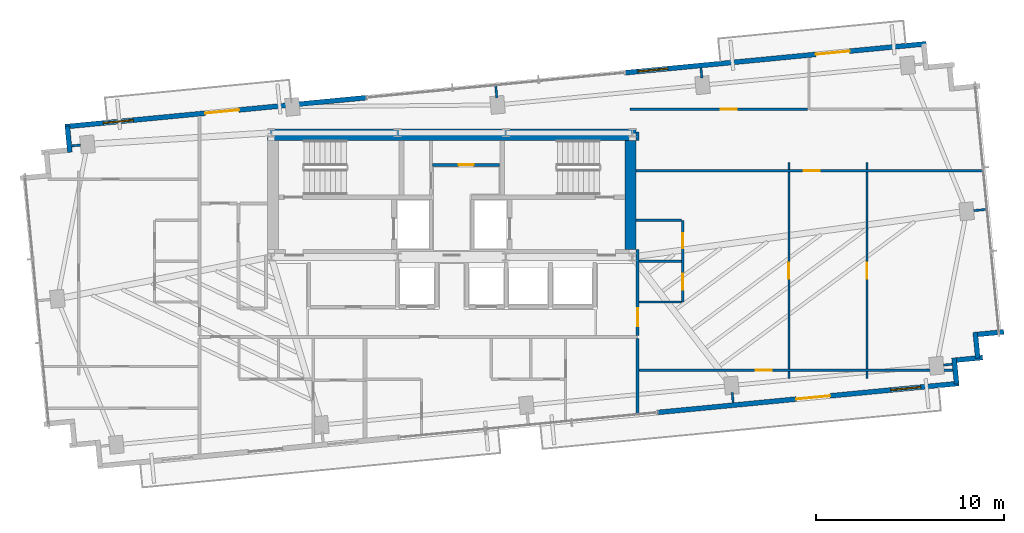
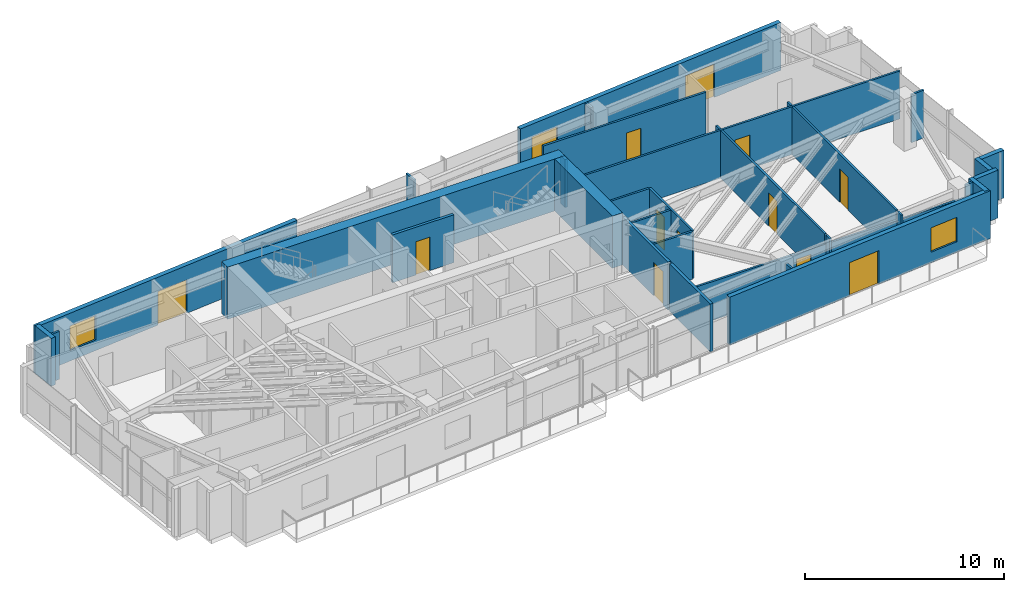
# One storey, part 15 of 18: 33 walls, 12 doors, 3 windows, 15 openings.
"""IFC4 building model written with IfcOpenShell, lengths in metres."""

import ifcopenshell
import ifcopenshell.guid

model = None  # the IFC model being written
_history = None  # IfcOwnerHistory: only IFC2X3 demands one
_inside = {}  # id of a spatial element -> (the spatial element, [elements in it])
_under = {}  # id of a project, library or spatial element -> (it, [spatial elements below it])
_declared = {}  # id of a project -> (the project, [libraries it declares])
_typed = {}  # id of a type object -> (the type object, [elements of that type])
_made_of = {}  # id of a material, layer set ... -> (it, [elements and type objects made of it])


def new_model(schema):
    """Start an empty IFC model of exactly this schema.

    Asked for "IFC4X3", IfcOpenShell would pick the latest addendum, in which some entities
    have other attributes; the version numbers below select the first issue.
    IFC2X3 requires an IfcOwnerHistory on every rooted entity: one is made here for all.
    """
    global model, _history
    if schema == "IFC4X3":
        model = ifcopenshell.file(schema_version=(4, 3, 0, 0))
    else:
        model = ifcopenshell.file(schema=schema)
    _inside.clear()
    _under.clear()
    _declared.clear()
    _typed.clear()
    _made_of.clear()
    _history = None
    if model.schema == "IFC2X3":
        org = make("IfcOrganization", Name="unknown")
        user = make(
            "IfcPersonAndOrganization",
            ThePerson=make("IfcPerson", FamilyName="unknown"),
            TheOrganization=org,
        )
        app = make(
            "IfcApplication",
            ApplicationDeveloper=org,
            Version="unknown",
            ApplicationFullName="unknown",
            ApplicationIdentifier="unknown",
        )
        _history = make(
            "IfcOwnerHistory",
            OwningUser=user,
            OwningApplication=app,
            ChangeAction="ADDED",
            CreationDate=0,
        )
    return model


def make(cls, **values):
    """One entity of the class cls with the attributes given. An attribute that is None is left unset."""
    return model.create_entity(
        cls, **{name: value for name, value in values.items() if value is not None}
    )


def rooted(cls, **values):
    """An entity with a GlobalId (a new one), such as an element, a storey or a relation."""
    return make(cls, GlobalId=ifcopenshell.guid.new(), OwnerHistory=_history, **values)


def si_unit(unit_type, name, prefix=None):
    """IfcSIUnit, for example si_unit("LENGTHUNIT", "METRE", prefix="MILLI")."""
    return make("IfcSIUnit", UnitType=unit_type, Prefix=prefix, Name=name)


def assignment(units):
    """IfcUnitAssignment: the units of a project."""
    return None if units is None else make("IfcUnitAssignment", Units=units)


def point(xyz):
    """IfcCartesianPoint."""
    return None if xyz is None else make("IfcCartesianPoint", Coordinates=xyz)


def direction(xyz):
    """IfcDirection."""
    return None if xyz is None else make("IfcDirection", DirectionRatios=xyz)


def frame(location, z_axis=None, x_axis=None):
    """IfcAxis2Placement3D, a coordinate frame: its origin and axes. An axis left out is left unset."""
    return make(
        "IfcAxis2Placement3D",
        Location=point(location),
        Axis=direction(z_axis),
        RefDirection=direction(x_axis),
    )


def frame_2d(location, x_axis=None):
    """IfcAxis2Placement2D, a coordinate frame in the plane: its origin and x axis."""
    return make(
        "IfcAxis2Placement2D", Location=point(location), RefDirection=direction(x_axis)
    )


def origin():
    """The frame at (0, 0, 0) with its axes left unset."""
    return frame((0.0, 0.0, 0.0))


def place(relative_to, where):
    """IfcLocalPlacement: puts the frame where relative to a parent placement (None: the world)."""
    return make(
        "IfcLocalPlacement", PlacementRelTo=relative_to, RelativePlacement=where
    )


def context(
    kind, dimensions, precision=None, world=None, true_north=None, identifier=None
):
    """IfcGeometricRepresentationContext, for example the 3D "Model" context."""
    return make(
        "IfcGeometricRepresentationContext",
        ContextIdentifier=identifier,
        ContextType=kind,
        CoordinateSpaceDimension=dimensions,
        Precision=precision,
        WorldCoordinateSystem=world,
        TrueNorth=true_north,
    )


def subcontext(parent, identifier, kind, view, scale=None):
    """IfcGeometricRepresentationSubContext, for example "Body" below "Model"."""
    return make(
        "IfcGeometricRepresentationSubContext",
        ContextIdentifier=identifier,
        ContextType=kind,
        ParentContext=parent,
        TargetScale=scale,
        TargetView=view,
    )


def project(units=None, contexts=None):
    """IfcProject with its units and contexts."""
    return rooted(
        "IfcProject",
        Name="project",
        RepresentationContexts=contexts,
        UnitsInContext=assignment(units),
    )


def spatial(cls, under=None, at=None, **own):
    """A site, building, storey or space (cls), placed at a placement, below another one or the project."""
    s = rooted(cls, ObjectPlacement=at, **own)
    if under is not None:
        _under.setdefault(under.id(), (under, []))[1].append(s)
    return s


def profile(cls, at=None, kind="AREA", **sizes):
    """A parametric profile (cls). Its sizes go by their IFC names, for example OverallWidth=200.0."""
    return make(cls, ProfileType=kind, Position=at, **sizes)


def rectangle(**sizes):
    """IfcRectangleProfileDef."""
    return profile("IfcRectangleProfileDef", **sizes)


def extrude(swept, where, along, depth):
    """IfcExtrudedAreaSolid: the profile swept, set in the frame where, extruded along a direction by depth."""
    return make(
        "IfcExtrudedAreaSolid",
        SweptArea=swept,
        Position=where,
        ExtrudedDirection=direction(along),
        Depth=depth,
    )


def shape(context_of_items, identifier, shape_type, items):
    """IfcShapeRepresentation: the items that make up one representation, for example the "Body"."""
    return make(
        "IfcShapeRepresentation",
        ContextOfItems=context_of_items,
        RepresentationIdentifier=identifier,
        RepresentationType=shape_type,
        Items=items,
    )


def source(mapping_origin, context_of_items, identifier, shape_type, items):
    """IfcRepresentationMap: a shape defined once, which mapped items show again and again."""
    return make(
        "IfcRepresentationMap",
        MappingOrigin=mapping_origin,
        MappedRepresentation=shape(context_of_items, identifier, shape_type, items),
    )


def transform(
    local_origin,
    x_axis=None,
    y_axis=None,
    z_axis=None,
    scale=None,
    scale2=None,
    scale3=None,
    uniform=True,
):
    """IfcCartesianTransformationOperator3D, or its non-uniform kind. x_axis, y_axis, z_axis: its Axis1, 2, 3."""
    if uniform:
        return make(
            "IfcCartesianTransformationOperator3D",
            Axis1=direction(x_axis),
            Axis2=direction(y_axis),
            LocalOrigin=point(local_origin),
            Scale=scale,
            Axis3=direction(z_axis),
        )
    return make(
        "IfcCartesianTransformationOperator3DnonUniform",
        Axis1=direction(x_axis),
        Axis2=direction(y_axis),
        LocalOrigin=point(local_origin),
        Scale=scale,
        Axis3=direction(z_axis),
        Scale2=scale2,
        Scale3=scale3,
    )


def mapped(mapping_source, mapping_target):
    """IfcMappedItem: shows the shape of a source again, moved by a transform."""
    return make(
        "IfcMappedItem", MappingSource=mapping_source, MappingTarget=mapping_target
    )


def material(Name=None, Category=None):
    """IfcMaterial."""
    return make("IfcMaterial", Name=Name, Category=Category)


def layer(
    of_material, thickness, ventilated=None, Name=None, Category=None, Priority=None
):
    """IfcMaterialLayer: one layer of a wall or slab, of a material (None: an air gap)."""
    return make(
        "IfcMaterialLayer",
        Material=of_material,
        LayerThickness=thickness,
        IsVentilated=ventilated,
        Name=Name,
        Category=Category,
        Priority=Priority,
    )


def layer_set(layers, Name=None):
    """IfcMaterialLayerSet."""
    return make("IfcMaterialLayerSet", MaterialLayers=layers, LayerSetName=Name)


def made_of(thing, what):
    """Note that an element or type object is made of a material, layer set ...; save() writes the relation."""
    if what is not None:
        _made_of.setdefault(what.id(), (what, []))[1].append(thing)
    return thing


def type_object(cls, material=None, **own):
    """A type object (cls), such as IfcWallType, which elements share."""
    return made_of(rooted(cls, **own), material)


def type_shapes(of_type, sources):
    """Give a type object the sources (RepresentationMaps) that its elements show as mapped items."""
    of_type.RepresentationMaps = sources


def element(
    cls,
    number,
    at=None,
    inside=None,
    cuts=None,
    type_object=None,
    material=None,
    context=None,
    identifier="Body",
    shape_type=None,
    held_by="IfcProductDefinitionShape",
    body=None,
    shapes=None,
    **own,
):
    """One element of the class cls, such as IfcWall. Its Tag is "e" and its number.

    at: its placement. inside: the storey or other place that contains it. cuts: it is an
    opening in that element (IfcRelVoidsElement). A single representation is given by context,
    identifier, shape_type and body (its items); several are given by shapes. held_by: the class
    of the entity that holds the representations. save() writes the other relations.
    """
    e = rooted(cls, Tag="e%d" % number, ObjectPlacement=at, **own)
    if body is not None:
        shapes = [shape(context, identifier, shape_type, body)]
    if shapes is not None:
        e.Representation = make(held_by, Representations=shapes)
    if inside is not None:
        _inside.setdefault(inside.id(), (inside, []))[1].append(e)
    if cuts is not None:
        rooted(
            "IfcRelVoidsElement", RelatingBuildingElement=cuts, RelatedOpeningElement=e
        )
    if type_object is not None:
        _typed.setdefault(type_object.id(), (type_object, []))[1].append(e)
    return made_of(e, material)


def fill(opening, filler):
    """IfcRelFillsElement: the door or window that sits in an opening."""
    return rooted(
        "IfcRelFillsElement",
        RelatingOpeningElement=opening,
        RelatedBuildingElement=filler,
    )


def aggregate(whole, parts):
    """IfcRelAggregates: a whole, such as a stair, and the parts it consists of."""
    return rooted("IfcRelAggregates", RelatingObject=whole, RelatedObjects=parts)


def save(model, path):
    """Write the relations noted so far, then the file.

    IfcRelAggregates (storeys below a building ...), IfcRelContainedInSpatialStructure (elements
    in a storey), IfcRelDefinesByType, IfcRelAssociatesMaterial and IfcRelDeclares: one each for
    every whole, place, type object, material and project.
    """
    for whole, parts in _under.values():
        aggregate(whole, parts)
    for where, things in _inside.values():
        rooted(
            "IfcRelContainedInSpatialStructure",
            RelatedElements=things,
            RelatingStructure=where,
        )
    for kind, things in _typed.values():
        rooted("IfcRelDefinesByType", RelatedObjects=things, RelatingType=kind)
    for what, things in _made_of.values():
        rooted("IfcRelAssociatesMaterial", RelatedObjects=things, RelatingMaterial=what)
    for by, libraries in _declared.values():
        rooted("IfcRelDeclares", RelatingContext=by, RelatedDefinitions=libraries)
    model.write(path)


model = new_model("IFC4")

# Units and contexts
model_context = context("Model", 3, precision=1e-05, world=origin(), true_north=direction((0.0, 1.0)))
body_context = subcontext(model_context, "Body", "Model", "MODEL_VIEW")
ifc_project = project(units=[si_unit("LENGTHUNIT", "METRE"), si_unit("AREAUNIT", "SQUARE_METRE"), si_unit("VOLUMEUNIT", "CUBIC_METRE"), si_unit("PLANEANGLEUNIT", "RADIAN"), si_unit("MASSUNIT", "GRAM", prefix="KILO")], contexts=[model_context])

# Site, building, storey
site_placement = place(None, origin())
site = spatial("IfcSite", under=ifc_project, at=site_placement, CompositionType="ELEMENT")
building_placement = place(site_placement, origin())
building = spatial("IfcBuilding", under=site, at=building_placement, Name="Astriad Promenade Condominiums", CompositionType="ELEMENT")
storey_placement = place(building_placement, frame((0.0, 0.0, 173.0)))
storey = spatial("IfcBuildingStorey", under=building, at=storey_placement, Name="L49", CompositionType="ELEMENT", Elevation=173.0)

# Walls
ifc_material_1 = material(Name="Concrete C50/60", Category="concrete")
ifc_layer_1 = layer(ifc_material_1, 0.60009765625)
ifc_layer_set_1 = layer_set([ifc_layer_1], Name="Concrete C50/60")
wall_type_1 = type_object("IfcWallType", Name="CW-SHEAR-600", PredefinedType="SHEAR", material=ifc_layer_set_1)
wall_1_placement = place(storey_placement, frame((26.199951171875, 23.89990234375, 0.0), z_axis=(0.0, 0.0, 1.0), x_axis=(1.0, 0.0, 0.0)))
element("IfcWall", 1, at=wall_1_placement, inside=storey, type_object=wall_type_1, Name="CW-CORE-N-L49", PredefinedType="SHEAR", context=body_context, shape_type="SweptSolid", body=[
    extrude(rectangle(XDim=19.60009765625, YDim=0.60009765625, at=frame_2d((9.800048828125, 0.0))), origin(), (0.0, 0.0, 1.0), 3.199951171875),
])
wall_2_placement = place(storey_placement, frame((45.5, 17.802001953125, 0.0), z_axis=(0.0, 0.0, 1.0), x_axis=(0.0, 1.0, 0.0)))
element("IfcWall", 2, at=wall_2_placement, inside=storey, type_object=wall_type_1, Name="CW-CORE-E-L49", PredefinedType="SHEAR", context=body_context, shape_type="SweptSolid", body=[
    extrude(rectangle(XDim=5.7958984375, YDim=0.60009765625, at=frame_2d((2.89794921875, 0.0))), origin(), (0.0, 0.0, 1.0), 3.199951171875),
])

# Wall, opening, door
ifc_material_2 = material(Name="Fire-Rated Gypsum Partition")
ifc_layer_2 = layer(ifc_material_2, 0.159912109375)
ifc_layer_set_2 = layer_set([ifc_layer_2], Name="Fire-Rated Gypsum Partition")
wall_type_2 = type_object("IfcWallType", Name="WALL-CORR-160", PredefinedType="PARTITIONING", material=ifc_layer_set_2)
wall_3_placement = place(storey_placement, frame((34.98193359375, 22.300048828125, 0.0), z_axis=(0.0, 0.0, 1.0), x_axis=(1.0, 0.0, 0.0)))
wall_3 = element("IfcWall", 3, at=wall_3_placement, inside=storey, type_object=wall_type_2, Name="CW-AUX-N-L49", PredefinedType="PARTITIONING", context=body_context, shape_type="SweptSolid", body=[
    extrude(rectangle(XDim=3.566162109375, YDim=0.159912109375, at=frame_2d((1.783203125, 0.0))), origin(), (0.0, 0.0, 1.0), 2.93994140625),
])
opening_1_placement = place(wall_3_placement, frame((1.3779296875, 0.0, 0.0)))
opening_1 = element("IfcOpeningElement", 4, at=opening_1_placement, cuts=wall_3, Name="Opening FD60-SV-080", PredefinedType="OPENING", context=body_context, shape_type="SweptSolid", body=[
    extrude(rectangle(XDim=0.800048828125, YDim=2.050048828125, at=frame_2d((0.39990234375, 1.02490234375))), frame((0.0, 0.08984375, 0.0), z_axis=(0.0, -1.0, 0.0), x_axis=(1.0, 0.0, 0.0)), (0.0, 0.0, 1.0), 0.179931640625),
])
ifc_material_3 = material(Name="Fire-Rated Riser Closet Door")
door_type_1 = type_object("IfcDoorType", Name="FD60-SV-080", OperationType="NOTDEFINED", PredefinedType="DOOR", material=ifc_material_3)
shared_shape_1 = source(origin(), body_context, "Body", "SweptSolid", [
    extrude(rectangle(XDim=0.800048828125, YDim=2.050048828125, at=frame_2d((0.39990234375, 1.02490234375))), frame((0.0, 0.02490234375, 0.0), z_axis=(0.0, -1.0, 0.0), x_axis=(1.0, 0.0, 0.0)), (0.0, 0.0, 1.0), 0.050048828125),
])
type_shapes(door_type_1, [shared_shape_1])
door_1_placement = place(opening_1_placement, origin())
door_1 = element("IfcDoor", 5, at=door_1_placement, inside=storey, type_object=door_type_1, Name="D-AUX2-L49", OperationType="SINGLE_SWING_LEFT", OverallHeight=2.050048828125, OverallWidth=0.800048828125, PredefinedType="DOOR", context=body_context, shape_type="MappedRepresentation", body=[
    mapped(shared_shape_1, transform((0.0, 0.0, 0.0), scale=1.0)),
])
fill(opening_1, door_1)

# Wall
wall_4_placement = place(storey_placement, frame((45.8798828125, 8.98095703125, 0.0), z_axis=(0.0, 0.0, 1.0), x_axis=(0.0, 1.0, 0.0)))
element("IfcWall", 6, at=wall_4_placement, inside=storey, type_object=wall_type_2, Name="PT-COR-E-L49", PredefinedType="PARTITIONING", context=body_context, shape_type="SweptSolid", body=[
    extrude(rectangle(XDim=4.087158203125, YDim=0.159912109375, at=frame_2d((2.04345703125, 0.0))), origin(), (0.0, 0.0, 1.0), 2.93994140625),
])

# Wall, opening, door
wall_5_placement = place(storey_placement, frame((45.8798828125, 13.23193359375, 0.0), z_axis=(0.0, 0.0, 1.0), x_axis=(0.0, 1.0, 0.0)))
wall_5 = element("IfcWall", 7, at=wall_5_placement, inside=storey, type_object=wall_type_2, Name="PT-COR-E-L49-S2", PredefinedType="PARTITIONING", context=body_context, shape_type="SweptSolid", body=[
    extrude(rectangle(XDim=4.570068359375, YDim=0.159912109375, at=frame_2d((2.28515625, 0.0))), origin(), (0.0, 0.0, 1.0), 2.93994140625),
])
opening_2_placement = place(wall_5_placement, frame((0.492919921875, 0.0, 0.0)))
opening_2 = element("IfcOpeningElement", 8, at=opening_2_placement, cuts=wall_5, Name="Opening FD60-APT-095", PredefinedType="OPENING", context=body_context, shape_type="SweptSolid", body=[
    extrude(rectangle(XDim=0.949951171875, YDim=2.06005859375, at=frame_2d((0.47509765625, 1.030029296875))), frame((0.0, 0.08984375, 0.0), z_axis=(0.0, -1.0, 0.0), x_axis=(1.0, 0.0, 0.0)), (0.0, 0.0, 1.0), 0.179931640625),
])
ifc_material_4 = material(Name="Solid-Core Acoustic Timber Residence Entry Door", Category="wood")
door_type_2 = type_object("IfcDoorType", Name="FD60-APT-095", OperationType="NOTDEFINED", PredefinedType="DOOR", material=ifc_material_4)
shared_shape_2 = source(origin(), body_context, "Body", "SweptSolid", [
    extrude(rectangle(XDim=0.949951171875, YDim=2.06005859375, at=frame_2d((0.47509765625, 1.030029296875))), frame((0.0, 0.02490234375, 0.0), z_axis=(0.0, -1.0, 0.0), x_axis=(1.0, 0.0, 0.0)), (0.0, 0.0, 1.0), 0.050048828125),
])
type_shapes(door_type_2, [shared_shape_2])
door_2_placement = place(opening_2_placement, origin())
door_2 = element("IfcDoor", 9, at=door_2_placement, inside=storey, type_object=door_type_2, Name="D-ENT-L49-E1", OperationType="SINGLE_SWING_RIGHT", OverallHeight=2.06005859375, OverallWidth=0.949951171875, PredefinedType="DOOR", context=body_context, shape_type="MappedRepresentation", body=[
    mapped(shared_shape_2, transform((0.0, 0.0, 0.0), scale=1.0)),
])
fill(opening_2, door_2)

# Walls
wall_6_placement = place(storey_placement, frame((45.8798828125, 23.597900390625, 0.0), z_axis=(0.0, 0.0, 1.0), x_axis=(0.0, 1.0, 0.0)))
element("IfcWall", 10, at=wall_6_placement, inside=storey, type_object=wall_type_2, Name="PT-COR-E-L49-S3", PredefinedType="PARTITIONING", context=body_context, shape_type="SweptSolid", body=[
    extrude(rectangle(XDim=0.4521484375, YDim=0.159912109375, at=frame_2d((0.22607421875, 0.0))), origin(), (0.0, 0.0, 1.0), 2.93994140625),
])
ifc_material_5 = material(Name="Precast concrete C50/60", Category="concrete")
ifc_layer_3 = layer(ifc_material_5, 0.260009765625)
ifc_layer_set_3 = layer_set([ifc_layer_3], Name="Precast concrete C50/60")
wall_type_3 = type_object("IfcWallType", Name="WALL-EXT-TWR-260", PredefinedType="STANDARD", material=ifc_layer_set_3)
wall_7_placement = place(storey_placement, frame((15.6982421875, 22.962646484375, 0.0), z_axis=(0.0, 0.0, 1.0), x_axis=(-0.09589913835, 0.995391056452, 0.0)))
element("IfcWall", 11, at=wall_7_placement, inside=storey, type_object=wall_type_3, Name="W-SER-L49-07", PredefinedType="STANDARD", context=body_context, shape_type="SweptSolid", body=[
    extrude(rectangle(XDim=1.39501953125, YDim=0.260009765625, at=frame_2d((0.697509765625, 0.0))), origin(), (0.0, 0.0, 1.0), 2.93994140625),
])

# Wall, openings, door, window
wall_8_placement = place(storey_placement, frame((15.4365234375, 24.32373046875, 0.0), z_axis=(0.0, 0.0, 1.0), x_axis=(0.995395627913, 0.095851676732, 0.0)))
wall_8 = element("IfcWall", 12, at=wall_8_placement, inside=storey, type_object=wall_type_3, Name="W-EXT-L49-N1", PredefinedType="STANDARD", context=body_context, shape_type="SweptSolid", body=[
    extrude(rectangle(XDim=16.10009765625, YDim=0.260009765625, at=frame_2d((8.050048828125, 0.0))), origin(), (0.0, 0.0, 1.0), 2.93994140625),
])
opening_3_placement = place(wall_8_placement, frame((7.491943359375, 0.0, 0.0)))
opening_3 = element("IfcOpeningElement", 13, at=opening_3_placement, cuts=wall_8, Name="Opening BD-1822-SLD", PredefinedType="OPENING", context=body_context, shape_type="SweptSolid", body=[
    extrude(rectangle(XDim=1.800048828125, YDim=2.06005859375, at=frame_2d((0.89990234375, 1.030029296875))), frame((0.0, 0.139892578125, 0.0), z_axis=(0.0, -1.0, 0.0), x_axis=(1.0, 0.0, 0.0)), (0.0, 0.0, 1.0), 0.280029296875),
])
opening_4_placement = place(wall_8_placement, frame((2.050048828125, 0.0, 0.64990234375)))
opening_4 = element("IfcOpeningElement", 14, at=opening_4_placement, cuts=wall_8, Name="Opening WIN-TWR-1620", PredefinedType="OPENING", context=body_context, shape_type="SweptSolid", body=[
    extrude(rectangle(XDim=1.60009765625, YDim=1.5, at=frame_2d((0.800048828125, 0.75))), frame((0.0, 0.139892578125, 0.0), z_axis=(0.0, -1.0, 0.0), x_axis=(1.0, 0.0, 0.0)), (0.0, 0.0, 1.0), 0.280029296875),
])
ifc_material_6 = material(Name="Thermally Broken Aluminium Sliding Balcony Door", Category="aluminium")
door_type_3 = type_object("IfcDoorType", Name="BD-1822-SLD", OperationType="NOTDEFINED", PredefinedType="DOOR", material=ifc_material_6)
shared_shape_3 = source(origin(), body_context, "Body", "SweptSolid", [
    extrude(rectangle(XDim=1.800048828125, YDim=2.06005859375, at=frame_2d((0.89990234375, 1.030029296875))), frame((0.0, 0.02490234375, 0.0), z_axis=(0.0, -1.0, 0.0), x_axis=(1.0, 0.0, 0.0)), (0.0, 0.0, 1.0), 0.050048828125),
])
type_shapes(door_type_3, [shared_shape_3])
door_3_placement = place(opening_3_placement, origin())
door_3 = element("IfcDoor", 15, at=door_3_placement, inside=storey, type_object=door_type_3, Name="BD-L49-NW", OperationType="SLIDING_TO_LEFT", OverallHeight=2.06005859375, OverallWidth=1.800048828125, PredefinedType="DOOR", context=body_context, shape_type="MappedRepresentation", body=[
    mapped(shared_shape_3, transform((0.0, 0.0, 0.0), scale=1.0)),
])
fill(opening_3, door_3)
ifc_material_7 = material(Name="Dark Tinted Triple-Glazed Aluminium Window", Category="aluminium")
window_type = type_object("IfcWindowType", Name="WIN-TWR-1620", PartitioningType="SINGLE_PANEL", PredefinedType="WINDOW", material=ifc_material_7)
shared_shape_4 = source(origin(), body_context, "Body", "SweptSolid", [
    extrude(rectangle(XDim=1.60009765625, YDim=1.5, at=frame_2d((0.800048828125, 0.75))), frame((0.0, 0.030029296875, 0.0), z_axis=(0.0, -1.0, 0.0), x_axis=(1.0, 0.0, 0.0)), (0.0, 0.0, 1.0), 0.06005859375),
])
type_shapes(window_type, [shared_shape_4])
window_1_placement = place(opening_4_placement, origin())
window_1 = element("IfcWindow", 16, at=window_1_placement, inside=storey, type_object=window_type, Name="WIN-L49-NW", OverallHeight=1.5, OverallWidth=1.60009765625, PartitioningType="SINGLE_PANEL", PredefinedType="WINDOW", context=body_context, shape_type="MappedRepresentation", body=[
    mapped(shared_shape_4, transform((0.0, 0.0, 0.0), scale=1.0)),
])
fill(opening_4, window_1)

wall_9_placement = place(storey_placement, frame((45.198974609375, 27.189697265625, 0.0), z_axis=(0.0, 0.0, 1.0), x_axis=(0.995397074604, 0.095836652014, 0.0)))
wall_9 = element("IfcWall", 17, at=wall_9_placement, inside=storey, type_object=wall_type_3, Name="W-EXT-L49-N2", PredefinedType="STANDARD", context=body_context, shape_type="SweptSolid", body=[
    extrude(rectangle(XDim=16.10009765625, YDim=0.260009765625, at=frame_2d((8.050048828125, 0.0))), origin(), (0.0, 0.0, 1.0), 2.93994140625),
])
opening_5_placement = place(wall_9_placement, frame((10.199951171875, 0.0, 0.0)))
opening_5 = element("IfcOpeningElement", 18, at=opening_5_placement, cuts=wall_9, Name="Opening BD-1822-SLD", PredefinedType="OPENING", context=body_context, shape_type="SweptSolid", body=[
    extrude(rectangle(XDim=1.800048828125, YDim=2.06005859375, at=frame_2d((0.89990234375, 1.030029296875))), frame((0.0, 0.139892578125, 0.0), z_axis=(0.0, -1.0, 0.0), x_axis=(1.0, 0.0, 0.0)), (0.0, 0.0, 1.0), 0.280029296875),
])
opening_6_placement = place(wall_9_placement, frame((0.699951171875, 0.0, 0.64990234375)))
opening_6 = element("IfcOpeningElement", 19, at=opening_6_placement, cuts=wall_9, Name="Opening WIN-TWR-1620", PredefinedType="OPENING", context=body_context, shape_type="SweptSolid", body=[
    extrude(rectangle(XDim=1.60009765625, YDim=1.5, at=frame_2d((0.800048828125, 0.75))), frame((0.0, 0.139892578125, 0.0), z_axis=(0.0, -1.0, 0.0), x_axis=(1.0, 0.0, 0.0)), (0.0, 0.0, 1.0), 0.280029296875),
])
door_4_placement = place(opening_5_placement, origin())
door_4 = element("IfcDoor", 20, at=door_4_placement, inside=storey, type_object=door_type_3, Name="BD-L49-NE", OperationType="SLIDING_TO_RIGHT", OverallHeight=2.06005859375, OverallWidth=1.800048828125, PredefinedType="DOOR", context=body_context, shape_type="MappedRepresentation", body=[
    mapped(shared_shape_3, transform((0.0, 0.0, 0.0), scale=1.0)),
])
fill(opening_5, door_4)
window_2_placement = place(opening_6_placement, origin())
window_2 = element("IfcWindow", 21, at=window_2_placement, inside=storey, type_object=window_type, Name="WIN-L49-NE", OverallHeight=1.5, OverallWidth=1.60009765625, PartitioningType="SINGLE_PANEL", PredefinedType="WINDOW", context=body_context, shape_type="MappedRepresentation", body=[
    mapped(shared_shape_4, transform((0.0, 0.0, 0.0), scale=1.0)),
])
fill(opening_6, window_2)

# Walls
wall_10_placement = place(storey_placement, frame((65.341796875, 13.416748046875, 0.0), z_axis=(0.0, 0.0, 1.0), x_axis=(-0.99540774648, -0.095725744959, 0.0)))
element("IfcWall", 22, at=wall_10_placement, inside=storey, type_object=wall_type_3, Name="W-SER-L49-14", PredefinedType="STANDARD", context=body_context, shape_type="SweptSolid", body=[
    extrude(rectangle(XDim=1.39501953125, YDim=0.260009765625, at=frame_2d((0.697509765625, 0.0))), origin(), (0.0, 0.0, 1.0), 2.93994140625),
])
wall_11_placement = place(storey_placement, frame((63.826171875, 13.4013671875, 0.0), z_axis=(0.0, 0.0, 1.0), x_axis=(0.095915846097, -0.995389446633, 0.0)))
element("IfcWall", 23, at=wall_11_placement, inside=storey, type_object=wall_type_3, Name="W-SER-L49-15", PredefinedType="STANDARD", context=body_context, shape_type="SweptSolid", body=[
    extrude(rectangle(XDim=1.394775390625, YDim=0.260009765625, at=frame_2d((0.697265625, 0.0))), origin(), (0.0, 0.0, 1.0), 2.93994140625),
])
for number, where, z_axis, x_axis, name in (
    (24, (64.21728515625, 12.052734375, 0.0), (0.0, 0.0, 1.0), (-0.99540774648, -0.095725744959, 0.0), "W-SER-L49-16"),
    (25, (62.701904296875, 12.037353515625, 0.0), (0.0, 0.0, 1.0), (0.095725744959, -0.99540774648, 0.0), "W-SER-L49-17"),
):
    element("IfcWall", number, at=place(storey_placement, frame(where, z_axis=z_axis, x_axis=x_axis)), inside=storey, type_object=wall_type_3, Name=name, PredefinedType="STANDARD", context=body_context, shape_type="SweptSolid", body=[
        extrude(rectangle(XDim=1.39501953125, YDim=0.260009765625, at=frame_2d((0.697509765625, 0.0))), origin(), (0.0, 0.0, 1.0), 2.93994140625),
    ])

# Wall, openings, door, window
wall_12_placement = place(storey_placement, frame((62.96337890625, 10.67626953125, 0.0), z_axis=(0.0, 0.0, 1.0), x_axis=(-0.995395627913, -0.095851676732, 0.0)))
wall_12 = element("IfcWall", 26, at=wall_12_placement, inside=storey, type_object=wall_type_3, Name="W-EXT-L49-S1", PredefinedType="STANDARD", context=body_context, shape_type="SweptSolid", body=[
    extrude(rectangle(XDim=16.10009765625, YDim=0.260009765625, at=frame_2d((8.050048828125, 0.0))), origin(), (0.0, 0.0, 1.0), 2.93994140625),
])
opening_7_placement = place(wall_12_placement, frame((6.888916015625, 0.0, 0.0)))
opening_7 = element("IfcOpeningElement", 27, at=opening_7_placement, cuts=wall_12, Name="Opening BD-1822-SLD", PredefinedType="OPENING", context=body_context, shape_type="SweptSolid", body=[
    extrude(rectangle(XDim=1.800048828125, YDim=2.06005859375, at=frame_2d((0.89990234375, 1.030029296875))), frame((0.0, 0.139892578125, 0.0), z_axis=(0.0, -1.0, 0.0), x_axis=(1.0, 0.0, 0.0)), (0.0, 0.0, 1.0), 0.280029296875),
])
opening_8_placement = place(wall_12_placement, frame((2.050048828125, 0.0, 0.64990234375)))
opening_8 = element("IfcOpeningElement", 28, at=opening_8_placement, cuts=wall_12, Name="Opening WIN-TWR-1620", PredefinedType="OPENING", context=body_context, shape_type="SweptSolid", body=[
    extrude(rectangle(XDim=1.60009765625, YDim=1.5, at=frame_2d((0.800048828125, 0.75))), frame((0.0, 0.139892578125, 0.0), z_axis=(0.0, -1.0, 0.0), x_axis=(1.0, 0.0, 0.0)), (0.0, 0.0, 1.0), 0.280029296875),
])
door_5_placement = place(opening_7_placement, origin())
door_5 = element("IfcDoor", 29, at=door_5_placement, inside=storey, type_object=door_type_3, Name="BD-L49-SE", OperationType="SLIDING_TO_RIGHT", OverallHeight=2.06005859375, OverallWidth=1.800048828125, PredefinedType="DOOR", context=body_context, shape_type="MappedRepresentation", body=[
    mapped(shared_shape_3, transform((0.0, 0.0, 0.0), scale=1.0)),
])
fill(opening_7, door_5)
window_3_placement = place(opening_8_placement, origin())
window_3 = element("IfcWindow", 30, at=window_3_placement, inside=storey, type_object=window_type, Name="WIN-L49-SE", OverallHeight=1.5, OverallWidth=1.60009765625, PartitioningType="SINGLE_PANEL", PredefinedType="WINDOW", context=body_context, shape_type="MappedRepresentation", body=[
    mapped(shared_shape_4, transform((0.0, 0.0, 0.0), scale=1.0)),
])
fill(opening_8, window_3)

# Wall, openings, doors
ifc_material_8 = material(Name="Acoustic Metal-Stud Gypsum Partition")
ifc_layer_4 = layer(ifc_material_8, 0.1201171875)
ifc_layer_set_4 = layer_set([ifc_layer_4], Name="Acoustic Metal-Stud Gypsum Partition")
wall_type_4 = type_object("IfcWallType", Name="WALL-PART-120", PredefinedType="PARTITIONING", material=ifc_layer_set_4)
wall_13_placement = place(storey_placement, frame((48.280029296875, 15.0, 0.0), z_axis=(0.0, 0.0, 1.0), x_axis=(0.0, 1.0, 0.0)))
wall_13 = element("IfcWall", 31, at=wall_13_placement, inside=storey, type_object=wall_type_4, Name="PT-L49-E1-PV", PredefinedType="PARTITIONING", context=body_context, shape_type="SweptSolid", body=[
    extrude(rectangle(XDim=4.35009765625, YDim=0.1201171875, at=frame_2d((2.175048828125, 0.0))), origin(), (0.0, 0.0, 1.0), 2.93994140625),
])
opening_9_placement = place(wall_13_placement, frame((0.662109375, 0.0, 0.0)))
opening_9 = element("IfcOpeningElement", 32, at=opening_9_placement, cuts=wall_13, Name="Opening D-INT-085", PredefinedType="OPENING", context=body_context, shape_type="SweptSolid", body=[
    extrude(rectangle(XDim=0.85009765625, YDim=2.050048828125, at=frame_2d((0.425048828125, 1.02490234375))), frame((0.0, 0.070068359375, 0.0), z_axis=(0.0, -1.0, 0.0), x_axis=(1.0, 0.0, 0.0)), (0.0, 0.0, 1.0), 0.14013671875),
])
opening_10_placement = place(wall_13_placement, frame((2.863037109375, 0.0, 0.0)))
opening_10 = element("IfcOpeningElement", 33, at=opening_10_placement, cuts=wall_13, Name="Opening D-WET-080", PredefinedType="OPENING", context=body_context, shape_type="SweptSolid", body=[
    extrude(rectangle(XDim=0.800048828125, YDim=2.02001953125, at=frame_2d((0.39990234375, 1.010009765625))), frame((0.0, 0.070068359375, 0.0), z_axis=(0.0, -1.0, 0.0), x_axis=(1.0, 0.0, 0.0)), (0.0, 0.0, 1.0), 0.14013671875),
])
ifc_material_9 = material(Name="Moisture-Resistant Timber Bathroom Door", Category="wood")
door_type_4 = type_object("IfcDoorType", Name="D-WET-080", OperationType="NOTDEFINED", PredefinedType="DOOR", material=ifc_material_9)
shared_shape_5 = source(origin(), body_context, "Body", "SweptSolid", [
    extrude(rectangle(XDim=0.800048828125, YDim=2.02001953125, at=frame_2d((0.39990234375, 1.010009765625))), frame((0.0, 0.02490234375, 0.0), z_axis=(0.0, -1.0, 0.0), x_axis=(1.0, 0.0, 0.0)), (0.0, 0.0, 1.0), 0.050048828125),
])
type_shapes(door_type_4, [shared_shape_5])
door_6_placement = place(opening_10_placement, origin())
door_6 = element("IfcDoor", 34, at=door_6_placement, inside=storey, type_object=door_type_4, Name="D-BTH-L49-E1", OperationType="SINGLE_SWING_RIGHT", OverallHeight=2.02001953125, OverallWidth=0.800048828125, PredefinedType="DOOR", context=body_context, shape_type="MappedRepresentation", body=[
    mapped(shared_shape_5, transform((0.0, 0.0, 0.0), scale=1.0)),
])
fill(opening_10, door_6)
ifc_material_10 = material(Name="Painted Solid-Core Timber Room Door", Category="wood")
door_type_5 = type_object("IfcDoorType", Name="D-INT-085", OperationType="NOTDEFINED", PredefinedType="DOOR", material=ifc_material_10)
shared_shape_6 = source(origin(), body_context, "Body", "SweptSolid", [
    extrude(rectangle(XDim=0.85009765625, YDim=2.050048828125, at=frame_2d((0.425048828125, 1.02490234375))), frame((0.0, 0.02490234375, 0.0), z_axis=(0.0, -1.0, 0.0), x_axis=(1.0, 0.0, 0.0)), (0.0, 0.0, 1.0), 0.050048828125),
])
type_shapes(door_type_5, [shared_shape_6])
door_7_placement = place(opening_9_placement, origin())
door_7 = element("IfcDoor", 35, at=door_7_placement, inside=storey, type_object=door_type_5, Name="D-KIT-L49-E1", OperationType="SINGLE_SWING_LEFT", OverallHeight=2.050048828125, OverallWidth=0.85009765625, PredefinedType="DOOR", context=body_context, shape_type="MappedRepresentation", body=[
    mapped(shared_shape_6, transform((0.0, 0.0, 0.0), scale=1.0)),
])
fill(opening_9, door_7)

# Walls
for number, where, z_axis, x_axis, name in (
    (36, (45.9619140625, 17.175048828125, 0.0), (0.0, 0.0, 1.0), (1.0, 0.0, 0.0), "PT-L49-E1-PM"),
    (37, (45.9619140625, 15.0, 0.0), (0.0, 0.0, 1.0), (1.0, 0.0, 0.0), "PT-L49-E1-PS"),
):
    element("IfcWall", number, at=place(storey_placement, frame(where, z_axis=z_axis, x_axis=x_axis)), inside=storey, type_object=wall_type_4, Name=name, PredefinedType="PARTITIONING", context=body_context, shape_type="SweptSolid", body=[
        extrude(rectangle(XDim=2.256103515625, YDim=0.1201171875, at=frame_2d((1.1279296875, 0.0))), origin(), (0.0, 0.0, 1.0), 2.93994140625),
    ])
wall_14_placement = place(storey_placement, frame((45.802001953125, 19.35009765625, 0.0), z_axis=(0.0, 0.0, 1.0), x_axis=(1.0, 0.0, 0.0)))
element("IfcWall", 38, at=wall_14_placement, inside=storey, type_object=wall_type_4, Name="PT-L49-E1-PN", PredefinedType="PARTITIONING", context=body_context, shape_type="SweptSolid", body=[
    extrude(rectangle(XDim=2.416015625, YDim=0.1201171875, at=frame_2d((1.2080078125, 0.0))), origin(), (0.0, 0.0, 1.0), 2.93994140625),
])

# Wall, opening, door
wall_15_placement = place(storey_placement, frame((45.4599609375, 25.2470703125, 0.0), z_axis=(0.0, 0.0, 1.0), x_axis=(1.0, 0.0, 0.0)))
wall_15 = element("IfcWall", 39, at=wall_15_placement, inside=storey, type_object=wall_type_4, Name="PT-L49-E1-B1", PredefinedType="PARTITIONING", context=body_context, shape_type="SweptSolid", body=[
    extrude(rectangle(XDim=9.4609375, YDim=0.1201171875, at=frame_2d((4.73046875, 0.0))), origin(), (0.0, 0.0, 1.0), 2.93994140625),
])
opening_11_placement = place(wall_15_placement, frame((4.825927734375, 0.0, 0.0)))
opening_11 = element("IfcOpeningElement", 40, at=opening_11_placement, cuts=wall_15, Name="Opening D-INT-085", PredefinedType="OPENING", context=body_context, shape_type="SweptSolid", body=[
    extrude(rectangle(XDim=0.85009765625, YDim=2.050048828125, at=frame_2d((0.425048828125, 1.02490234375))), frame((0.0, 0.070068359375, 0.0), z_axis=(0.0, -1.0, 0.0), x_axis=(1.0, 0.0, 0.0)), (0.0, 0.0, 1.0), 0.14013671875),
])
door_8_placement = place(opening_11_placement, origin())
door_8 = element("IfcDoor", 41, at=door_8_placement, inside=storey, type_object=door_type_5, Name="D-BD1-L49-E1", OperationType="SINGLE_SWING_LEFT", OverallHeight=2.050048828125, OverallWidth=0.85009765625, PredefinedType="DOOR", context=body_context, shape_type="MappedRepresentation", body=[
    mapped(shared_shape_6, transform((0.0, 0.0, 0.0), scale=1.0)),
])
fill(opening_11, door_8)

wall_16_placement = place(storey_placement, frame((45.802001953125, 21.97705078125, 0.0), z_axis=(0.0, 0.0, 1.0), x_axis=(1.0, 0.0, 0.0)))
wall_16 = element("IfcWall", 42, at=wall_16_placement, inside=storey, type_object=wall_type_4, Name="PT-L49-E1-WDN1", PredefinedType="PARTITIONING", context=body_context, shape_type="SweptSolid", body=[
    extrude(rectangle(XDim=18.50439453125, YDim=0.1201171875, at=frame_2d((9.252197265625, 0.0))), origin(), (0.0, 0.0, 1.0), 2.93994140625),
])
opening_12_placement = place(wall_16_placement, frame((8.9130859375, 0.0, 0.0)))
opening_12 = element("IfcOpeningElement", 43, at=opening_12_placement, cuts=wall_16, Name="Opening D-INT-085", PredefinedType="OPENING", context=body_context, shape_type="SweptSolid", body=[
    extrude(rectangle(XDim=0.85009765625, YDim=2.050048828125, at=frame_2d((0.425048828125, 1.02490234375))), frame((0.0, 0.070068359375, 0.0), z_axis=(0.0, -1.0, 0.0), x_axis=(1.0, 0.0, 0.0)), (0.0, 0.0, 1.0), 0.14013671875),
])
door_9_placement = place(opening_12_placement, origin())
door_9 = element("IfcDoor", 44, at=door_9_placement, inside=storey, type_object=door_type_5, Name="D-WDN1-L49-E1", OperationType="SINGLE_SWING_LEFT", OverallHeight=2.050048828125, OverallWidth=0.85009765625, PredefinedType="DOOR", context=body_context, shape_type="MappedRepresentation", body=[
    mapped(shared_shape_6, transform((0.0, 0.0, 0.0), scale=1.0)),
])
fill(opening_12, door_9)

wall_17_placement = place(storey_placement, frame((45.9619140625, 11.3779296875, 0.0), z_axis=(0.0, 0.0, 1.0), x_axis=(1.0, 0.0, 0.0)))
wall_17 = element("IfcWall", 45, at=wall_17_placement, inside=storey, type_object=wall_type_4, Name="PT-L49-E1-WDS2", PredefinedType="PARTITIONING", context=body_context, shape_type="SweptSolid", body=[
    extrude(rectangle(XDim=16.6708984375, YDim=0.1201171875, at=frame_2d((8.33544921875, 0.0))), origin(), (0.0, 0.0, 1.0), 2.382568359375),
])
opening_13_placement = place(wall_17_placement, frame((6.18603515625, 0.0, 0.0)))
opening_13 = element("IfcOpeningElement", 46, at=opening_13_placement, cuts=wall_17, Name="Opening D-INT-085", PredefinedType="OPENING", context=body_context, shape_type="SweptSolid", body=[
    extrude(rectangle(XDim=0.85009765625, YDim=2.050048828125, at=frame_2d((0.425048828125, 1.02490234375))), frame((0.0, 0.070068359375, 0.0), z_axis=(0.0, -1.0, 0.0), x_axis=(1.0, 0.0, 0.0)), (0.0, 0.0, 1.0), 0.14013671875),
])
door_10_placement = place(opening_13_placement, origin())
door_10 = element("IfcDoor", 47, at=door_10_placement, inside=storey, type_object=door_type_5, Name="D-WDS2-L49-E1", OperationType="SINGLE_SWING_RIGHT", OverallHeight=2.050048828125, OverallWidth=0.85009765625, PredefinedType="DOOR", context=body_context, shape_type="MappedRepresentation", body=[
    mapped(shared_shape_6, transform((0.0, 0.0, 0.0), scale=1.0)),
])
fill(opening_13, door_10)

# Wall
wall_18_placement = place(storey_placement, frame((58.070068359375, 10.93798828125, 0.0), z_axis=(0.0, 0.0, 1.0), x_axis=(0.0, 1.0, 0.0)))
element("IfcWall", 48, at=wall_18_placement, inside=storey, type_object=wall_type_4, Name="PT-L49-E1-WDV3", PredefinedType="PARTITIONING", context=body_context, shape_type="SweptSolid", body=[
    extrude(rectangle(XDim=0.3779296875, YDim=0.1201171875, at=frame_2d((0.18896484375, 0.0))), origin(), (0.0, 0.0, 1.0), 2.93994140625),
])

# Wall, opening, door
wall_19_placement = place(storey_placement, frame((58.070068359375, 11.43994140625, 0.0), z_axis=(0.0, 0.0, 1.0), x_axis=(0.0, 1.0, 0.0)))
wall_19 = element("IfcWall", 49, at=wall_19_placement, inside=storey, type_object=wall_type_4, Name="PT-L49-E1-WDV3-S2", PredefinedType="PARTITIONING", context=body_context, shape_type="SweptSolid", body=[
    extrude(rectangle(XDim=10.47509765625, YDim=0.1201171875, at=frame_2d((5.237548828125, 0.0))), origin(), (0.0, 0.0, 1.0), 2.93994140625),
])
opening_14_placement = place(wall_19_placement, frame((4.81201171875, 0.0, 0.0)))
opening_14 = element("IfcOpeningElement", 50, at=opening_14_placement, cuts=wall_19, Name="Opening D-INT-085", PredefinedType="OPENING", context=body_context, shape_type="SweptSolid", body=[
    extrude(rectangle(XDim=0.85009765625, YDim=2.050048828125, at=frame_2d((0.425048828125, 1.02490234375))), frame((0.0, 0.070068359375, 0.0), z_axis=(0.0, -1.0, 0.0), x_axis=(1.0, 0.0, 0.0)), (0.0, 0.0, 1.0), 0.14013671875),
])
door_11_placement = place(opening_14_placement, origin())
door_11 = element("IfcDoor", 51, at=door_11_placement, inside=storey, type_object=door_type_5, Name="D-WDV3-L49-E1", OperationType="SINGLE_SWING_LEFT", OverallHeight=2.050048828125, OverallWidth=0.85009765625, PredefinedType="DOOR", context=body_context, shape_type="MappedRepresentation", body=[
    mapped(shared_shape_6, transform((0.0, 0.0, 0.0), scale=1.0)),
])
fill(opening_14, door_11)

# Walls
for number, where, z_axis, x_axis, name in (
    (52, (58.070068359375, 22.0390625, 0.0), (0.0, 0.0, 1.0), (0.0, 1.0, 0.0), "PT-L49-E1-WDV3-S3"),
    (53, (53.923095703125, 10.93798828125, 0.0), (0.0, 0.0, 1.0), (0.0, 1.0, 0.0), "PT-L49-E1-WDV4"),
):
    element("IfcWall", number, at=place(storey_placement, frame(where, z_axis=z_axis, x_axis=x_axis)), inside=storey, type_object=wall_type_4, Name=name, PredefinedType="PARTITIONING", context=body_context, shape_type="SweptSolid", body=[
        extrude(rectangle(XDim=0.3779296875, YDim=0.1201171875, at=frame_2d((0.18896484375, 0.0))), origin(), (0.0, 0.0, 1.0), 2.93994140625),
    ])

# Wall, opening, door
wall_20_placement = place(storey_placement, frame((53.923095703125, 11.43994140625, 0.0), z_axis=(0.0, 0.0, 1.0), x_axis=(0.0, 1.0, 0.0)))
wall_20 = element("IfcWall", 54, at=wall_20_placement, inside=storey, type_object=wall_type_4, Name="PT-L49-E1-WDV4-S2", PredefinedType="PARTITIONING", context=body_context, shape_type="SweptSolid", body=[
    extrude(rectangle(XDim=10.47509765625, YDim=0.1201171875, at=frame_2d((5.237548828125, 0.0))), origin(), (0.0, 0.0, 1.0), 2.93994140625),
])
opening_15_placement = place(wall_20_placement, frame((4.81201171875, 0.0, 0.0)))
opening_15 = element("IfcOpeningElement", 55, at=opening_15_placement, cuts=wall_20, Name="Opening D-INT-085", PredefinedType="OPENING", context=body_context, shape_type="SweptSolid", body=[
    extrude(rectangle(XDim=0.85009765625, YDim=2.050048828125, at=frame_2d((0.425048828125, 1.02490234375))), frame((0.0, 0.070068359375, 0.0), z_axis=(0.0, -1.0, 0.0), x_axis=(1.0, 0.0, 0.0)), (0.0, 0.0, 1.0), 0.14013671875),
])
door_12_placement = place(opening_15_placement, origin())
door_12 = element("IfcDoor", 56, at=door_12_placement, inside=storey, type_object=door_type_5, Name="D-WDV4-L49-E1", OperationType="SINGLE_SWING_RIGHT", OverallHeight=2.050048828125, OverallWidth=0.85009765625, PredefinedType="DOOR", context=body_context, shape_type="MappedRepresentation", body=[
    mapped(shared_shape_6, transform((0.0, 0.0, 0.0), scale=1.0)),
])
fill(opening_15, door_12)

# Walls
wall_21_placement = place(storey_placement, frame((53.923095703125, 22.0390625, 0.0), z_axis=(0.0, 0.0, 1.0), x_axis=(0.0, 1.0, 0.0)))
element("IfcWall", 57, at=wall_21_placement, inside=storey, type_object=wall_type_4, Name="PT-L49-E1-WDV4-S3", PredefinedType="PARTITIONING", context=body_context, shape_type="SweptSolid", body=[
    extrude(rectangle(XDim=0.3779296875, YDim=0.1201171875, at=frame_2d((0.18896484375, 0.0))), origin(), (0.0, 0.0, 1.0), 2.93994140625),
])
wall_22_placement = place(storey_placement, frame((50.90478515625, 10.18798828125, 0.0), z_axis=(0.0, 0.0, 1.0), x_axis=(0.095772948675, -0.995403205893, 0.0)))
element("IfcWall", 58, at=wall_22_placement, inside=storey, type_object=wall_type_4, Name="PT-PIL-L49-PC04-11", PredefinedType="PARTITIONING", context=body_context, shape_type="SweptSolid", body=[
    extrude(rectangle(XDim=0.537841796875, YDim=0.1201171875, at=frame_2d((0.26904296875, 0.0))), origin(), (0.0, 0.0, 1.0), 2.93994140625),
])
for number, where, z_axis, x_axis, name in (
    (59, (62.146240234375, 11.65234375, 0.0), (0.0, 0.0, 1.0), (0.995384576284, 0.09596637586, 0.0), "PT-PIL-L49-PC05-12"),
    (60, (16.25390625, 23.34765625, 0.0), (0.0, 0.0, 1.0), (-0.995384576284, -0.09596637586, 0.0), "PT-PIL-L49-PC06-13"),
):
    element("IfcWall", number, at=place(storey_placement, frame(where, z_axis=z_axis, x_axis=x_axis)), inside=storey, type_object=wall_type_4, Name=name, PredefinedType="PARTITIONING", context=body_context, shape_type="SweptSolid", body=[
        extrude(rectangle(XDim=0.4580078125, YDim=0.1201171875, at=frame_2d((0.22900390625, 0.0))), origin(), (0.0, 0.0, 1.0), 2.93994140625),
    ])
wall_23_placement = place(storey_placement, frame((38.39501953125, 25.861328125, 0.0), z_axis=(0.0, 0.0, 1.0), x_axis=(-0.095977354523, 0.995383517755, 0.0)))
element("IfcWall", 61, at=wall_23_placement, inside=storey, type_object=wall_type_4, Name="PT-PIL-L49-PC08-15", PredefinedType="PARTITIONING", context=body_context, shape_type="SweptSolid", body=[
    extrude(rectangle(XDim=0.719970703125, YDim=0.1201171875, at=frame_2d((0.35986328125, 0.0))), origin(), (0.0, 0.0, 1.0), 2.93994140625),
])
wall_24_placement = place(storey_placement, frame((49.29443359375, 26.910888671875, 0.0), z_axis=(0.0, 0.0, 1.0), x_axis=(-0.095772948675, 0.995403205893, 0.0)))
element("IfcWall", 62, at=wall_24_placement, inside=storey, type_object=wall_type_4, Name="PT-PIL-L49-PC09-16", PredefinedType="PARTITIONING", context=body_context, shape_type="SweptSolid", body=[
    extrude(rectangle(XDim=0.537841796875, YDim=0.1201171875, at=frame_2d((0.26904296875, 0.0))), origin(), (0.0, 0.0, 1.0), 2.93994140625),
])
wall_25_placement = place(storey_placement, frame((63.74658203125, 19.863525390625, 0.0), z_axis=(0.0, 0.0, 1.0), x_axis=(0.995405496295, 0.095749140702, 0.0)))
element("IfcWall", 63, at=wall_25_placement, inside=storey, type_object=wall_type_4, Name="PT-PIL-L49-PC12-19", PredefinedType="PARTITIONING", context=body_context, shape_type="SweptSolid", body=[
    extrude(rectangle(XDim=0.759765625, YDim=0.1201171875, at=frame_2d((0.3798828125, 0.0))), origin(), (0.0, 0.0, 1.0), 2.93994140625),
])

save(model, "model.ifc")
